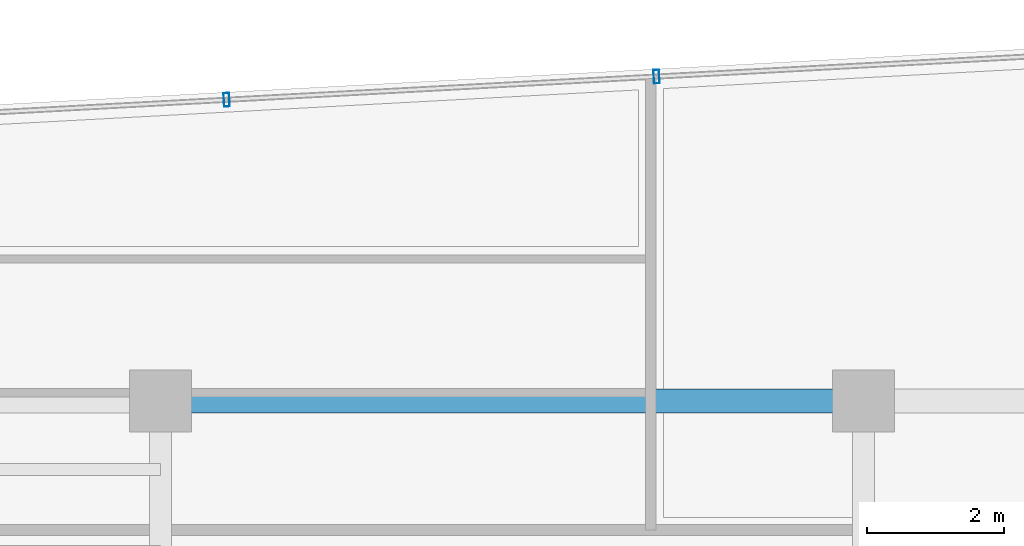
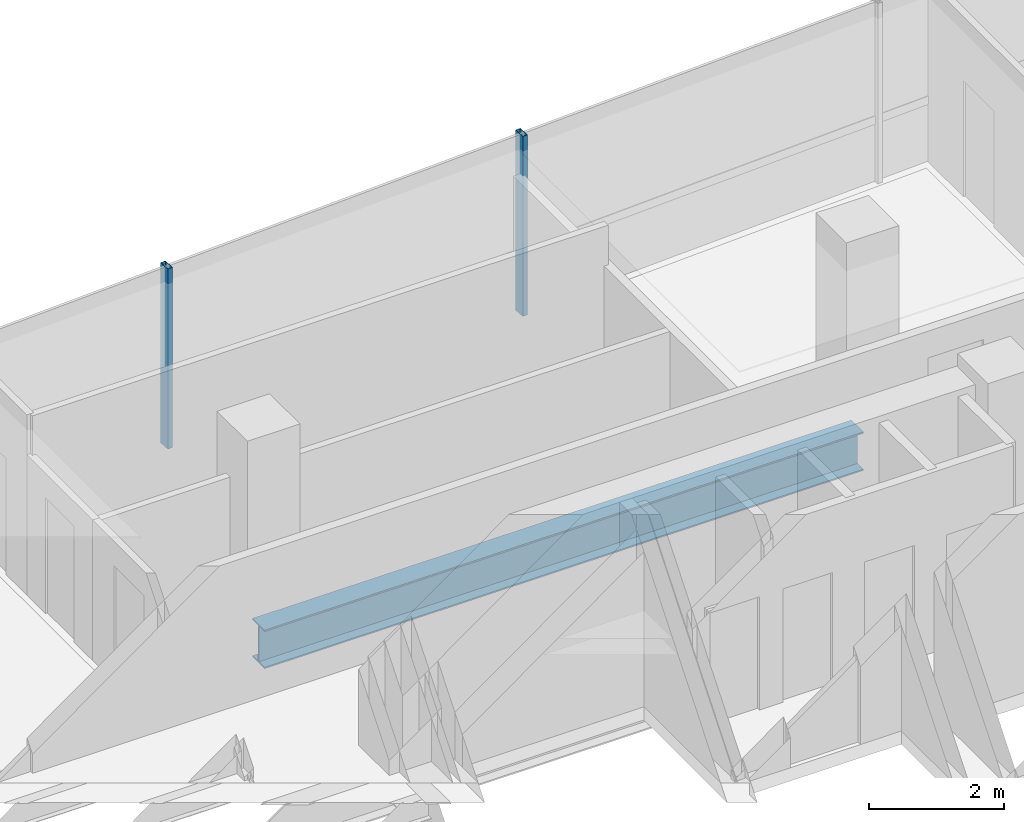
# One storey, part 14 of 24: 2 members, 1 beam, 1 element without a shape of its own.
"""IFC4 building model written with IfcOpenShell, lengths in metres."""

from ifc_helpers import new_model, si_unit, direction, frame, origin, origin_2d, place, context, subcontext, project, spatial, hollow_rectangle, i_section, extrude, source, transform, mapped, material, material_profile, profile_set, type_object, element, aggregate, save


model = new_model("IFC4")

# Units and contexts
model_context = context("Model", 3, precision=1e-05, world=origin(), true_north=direction((0.0, 1.0)))
body_context = subcontext(model_context, "Body", "Model", "MODEL_VIEW")
ifc_project = project(units=[si_unit("LENGTHUNIT", "METRE"), si_unit("AREAUNIT", "SQUARE_METRE"), si_unit("VOLUMEUNIT", "CUBIC_METRE"), si_unit("PLANEANGLEUNIT", "RADIAN"), si_unit("MASSUNIT", "GRAM", prefix="KILO")], contexts=[model_context])

# Site, building, storey
site_placement = place(None, origin())
site = spatial("IfcSite", under=ifc_project, at=site_placement, CompositionType="ELEMENT")
building_placement = place(site_placement, origin())
building = spatial("IfcBuilding", under=site, at=building_placement, Name="Valdorenza Pilgrim Sanctuary Tower", CompositionType="ELEMENT")
storey_placement = place(building_placement, frame((0.0, 0.0, 230.0)))
storey = spatial("IfcBuildingStorey", under=building, at=storey_placement, Name="L59", CompositionType="ELEMENT", Elevation=230.0)

# Beam
ifc_material_1 = material(Name="Steel ASTM A992 Grade 50", Category="steel")
ifc_material_profile_1 = material_profile(ifc_material_1, i_section(OverallWidth=0.35595703125, OverallDepth=0.700927734375, WebThickness=0.016845703125, FlangeThickness=0.02734375, at=origin_2d()), Name="W27X161")
ifc_profile_set_1 = profile_set([ifc_material_profile_1], Name="Steel ASTM A992 Grade 50")
beam_type = type_object("IfcBeamType", Name="STR-BM-GRD-W27", PredefinedType="BEAM", material=ifc_profile_set_1)
shared_shape_1 = source(origin(), body_context, "Body", "SweptSolid", [
    extrude(i_section(OverallWidth=0.35595703125, OverallDepth=0.700927734375, WebThickness=0.016845703125, FlangeThickness=0.02734375, at=origin_2d()), origin(), (0.0, 0.0, 1.0), 10.25),
])
beam_placement = place(storey_placement, frame((-22.64990234375, 14.800048828125, -0.590576171875), z_axis=(1.0, 0.0, 0.0), x_axis=(0.0, 1.0, 0.0)))
element("IfcBeam", 1, at=beam_placement, inside=storey, type_object=beam_type, Name="L59 Floor Girder CA-XC-N2", PredefinedType="BEAM", context=body_context, shape_type="MappedRepresentation", body=[
    mapped(shared_shape_1, transform((0.0, 0.0, 0.0), x_axis=(1.0, 0.0, 0.0), y_axis=(0.0, 1.0, 0.0), z_axis=(0.0, 0.0, 1.0), scale=1.0)),
])

# Curtain wall, members
ifc_material_2 = material(Name="Curtain-wall IGU glazing", Category="glass")
curtain_wall_type = type_object("IfcCurtainWallType", Name="CW-SYS-02", PredefinedType="NOTDEFINED", material=ifc_material_2)
curtain_wall_placement = place(storey_placement, origin())
curtain_wall = element("IfcCurtainWall", 2, at=curtain_wall_placement, inside=storey, type_object=curtain_wall_type, Name="L59 Curtain Wall CW-L59-1-6", PredefinedType="NOTDEFINED")
ifc_material_3 = material(Name="Anodised aluminium AW-6060", Category="aluminium")
ifc_material_profile_2 = material_profile(ifc_material_3, hollow_rectangle(XDim=0.0849609375, YDim=0.199951171875, WallThickness=0.0048828125, at=origin_2d()), Name="ALU-M 200x85x5")
ifc_profile_set_2 = profile_set([ifc_material_profile_2], Name="Anodised aluminium AW-6060")
member_type = type_object("IfcMemberType", Name="CW-MUL-02", PredefinedType="MULLION", material=ifc_profile_set_2)
shared_shape_2 = source(origin(), body_context, "Body", "SweptSolid", [
    extrude(hollow_rectangle(XDim=0.0849609375, YDim=0.199951171875, WallThickness=0.0048828125, at=origin_2d()), origin(), (0.0, 0.0, 1.0), 3.260009765625),
])
member_1_placement = place(storey_placement, frame((-21.686279296875, 19.1923828125, 0.0), z_axis=(0.0, 0.0, 1.0), x_axis=(0.998547034311, 0.053887106711, 0.0)))
member_1 = element("IfcMember", 3, at=member_1_placement, type_object=member_type, Name="CW-L59-1-6 Mullion 2", PredefinedType="MULLION", context=body_context, shape_type="MappedRepresentation", body=[
    mapped(shared_shape_2, transform((0.0, 0.0, 0.0), x_axis=(1.0, 0.0, 0.0), y_axis=(0.0, 1.0, 0.0), z_axis=(0.0, 0.0, 1.0), scale=1.0)),
])
member_2_placement = place(storey_placement, frame((-15.4169921875, 19.531005859375, 0.0), z_axis=(0.0, 0.0, 1.0), x_axis=(0.998547034311, 0.053887106711, 0.0)))
member_2 = element("IfcMember", 4, at=member_2_placement, type_object=member_type, Name="CW-L59-1-6 Mullion 3", PredefinedType="MULLION", context=body_context, shape_type="MappedRepresentation", body=[
    mapped(shared_shape_2, transform((0.0, 0.0, 0.0), x_axis=(1.0, 0.0, 0.0), y_axis=(0.0, 1.0, 0.0), z_axis=(0.0, 0.0, 1.0), scale=1.0)),
])
aggregate(curtain_wall, [member_1, member_2])

save(model, "model.ifc")
